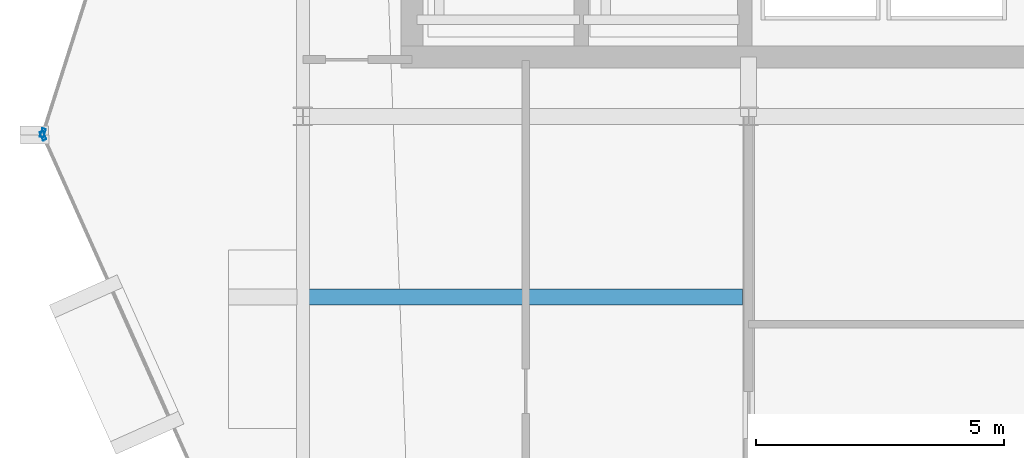
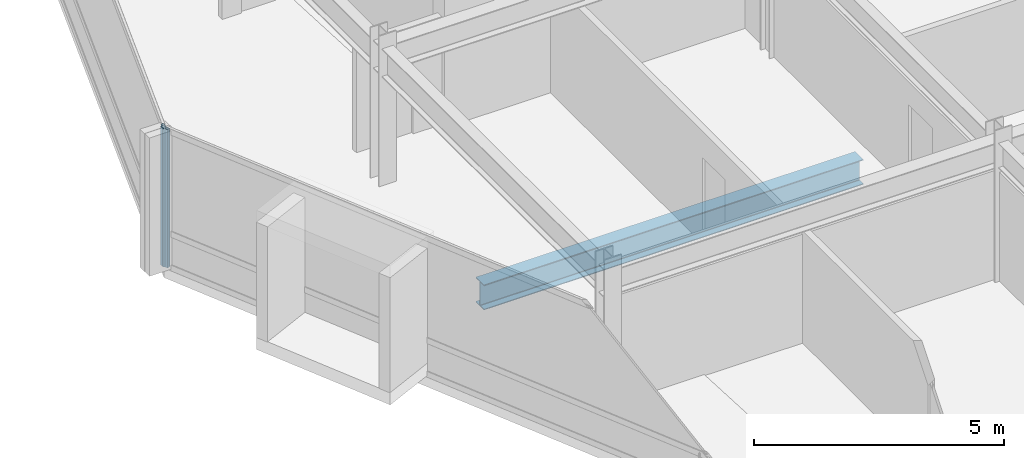
# One storey, part 6 of 19: 2 members, 1 beam, 2 elements without a shape of their own.
"""IFC4 building model written with IfcOpenShell, lengths in metres."""

from ifc_helpers import new_model, si_unit, direction, frame, origin, origin_2d, place, context, subcontext, project, spatial, hollow_rectangle, i_section, extrude, material, layer, layer_set, material_profile, profile_set, type_object, element, aggregate, save


model = new_model("IFC4")

# Units and contexts
model_context = context("Model", 3, precision=1e-05, world=origin(), true_north=direction((0.0, 1.0)))
body_context = subcontext(model_context, "Body", "Model", "MODEL_VIEW")
ifc_project = project(units=[si_unit("LENGTHUNIT", "METRE"), si_unit("AREAUNIT", "SQUARE_METRE"), si_unit("VOLUMEUNIT", "CUBIC_METRE"), si_unit("PLANEANGLEUNIT", "RADIAN"), si_unit("MASSUNIT", "GRAM", prefix="KILO")], contexts=[model_context])

# Site, building, storey
site_placement = place(None, origin())
site = spatial("IfcSite", under=ifc_project, at=site_placement, CompositionType="ELEMENT")
building_placement = place(site_placement, origin())
building = spatial("IfcBuilding", under=site, at=building_placement, Name="Solvaryn Broadcast Tower", CompositionType="ELEMENT")
storey_placement = place(building_placement, frame((0.0, 0.0, 281.5)))
storey = spatial("IfcBuildingStorey", under=building, at=storey_placement, Name="L71", CompositionType="ELEMENT", Elevation=281.5)

# Beam
ifc_material_1 = material(Name="Steel ASTM A992 Grade 50", Category="steel")
ifc_material_profile_1 = material_profile(ifc_material_1, i_section(OverallWidth=0.323974609375, OverallDepth=0.611083984375, WebThickness=0.0126953125, FlangeThickness=0.01904296875, FilletRadius=0.014892578125, at=origin_2d()))
ifc_profile_set_1 = profile_set([ifc_material_profile_1], Name="Steel ASTM A992 Grade 50")
beam_type = type_object("IfcBeamType", Name="BM-B1-W24X104", PredefinedType="BEAM", material=ifc_profile_set_1)
beam_placement = place(storey_placement, frame((17.875, 23.35009765625, -0.58544921875), z_axis=(-1.0, 0.0, 0.0), x_axis=(0.0, -1.0, 0.0)))
element("IfcBeam", 1, at=beam_placement, inside=storey, type_object=beam_type, Name="L71 Bay-Box Back-Span Beam 1", PredefinedType="BEAM", context=body_context, shape_type="SweptSolid", body=[
    extrude(i_section(OverallWidth=0.323974609375, OverallDepth=0.611083984375, WebThickness=0.0126953125, FlangeThickness=0.01904296875, FilletRadius=0.014892578125, at=origin_2d()), origin(), (0.0, 0.0, 1.0), 8.75),
])

# Curtain wall, member
ifc_material_2 = material(Name="Aluminium and Terracotta Unitised Curtain Wall", Category="masonry")
ifc_layer = layer(ifc_material_2, 0.199951171875)
ifc_layer_set = layer_set([ifc_layer], Name="CW-SYS2-LOWMID")
curtain_wall_type = type_object("IfcCurtainWallType", Name="CW-SYS2-LOWMID", PredefinedType="NOTDEFINED", material=ifc_layer_set)
curtain_wall_1_placement = place(storey_placement, origin())
curtain_wall_1 = element("IfcCurtainWall", 2, at=curtain_wall_1_placement, inside=storey, type_object=curtain_wall_type, Name="L71 Curtain Wall DR1", PredefinedType="NOTDEFINED")
ifc_material_3 = material(Name="Anodised Aluminium 6063-T6", Category="aluminium")
ifc_material_profile_2 = material_profile(ifc_material_3, hollow_rectangle(XDim=0.074951171875, YDim=0.179931640625, WallThickness=0.00390625, InnerFilletRadius=0.00390625, OuterFilletRadius=0.008056640625, at=origin_2d()))
ifc_profile_set_2 = profile_set([ifc_material_profile_2], Name="Anodised Aluminium 6063-T6")
member_type = type_object("IfcMemberType", Name="CW-MUL-180", PredefinedType="MULLION", material=ifc_profile_set_2)
member_1_placement = place(storey_placement, frame((3.7470703125, 26.66455078125, 0.0), z_axis=(0.0, 0.0, 1.0), x_axis=(0.952794594701, -0.30361564569, 0.0)))
member_1 = element("IfcMember", 3, at=member_1_placement, type_object=member_type, Name="CWS2 mullion 2", PredefinedType="MULLION", context=body_context, shape_type="SweptSolid", body=[
    extrude(hollow_rectangle(XDim=0.074951171875, YDim=0.179931640625, WallThickness=0.00390625, InnerFilletRadius=0.00390625, OuterFilletRadius=0.008056640625, at=origin_2d()), origin(), (0.0, 0.0, 1.0), 3.3701171875),
])
aggregate(curtain_wall_1, [member_1])

curtain_wall_2_placement = place(storey_placement, origin())
curtain_wall_2 = element("IfcCurtainWall", 4, at=curtain_wall_2_placement, inside=storey, type_object=curtain_wall_type, Name="L71 Curtain Wall DR2", PredefinedType="NOTDEFINED")
member_2_placement = place(storey_placement, frame((3.750244140625, 26.608642578125, 0.0), z_axis=(0.0, 0.0, 1.0), x_axis=(0.912773530574, 0.408466010682, 0.0)))
member_2 = element("IfcMember", 5, at=member_2_placement, type_object=member_type, Name="CWS2 mullion 1", PredefinedType="MULLION", context=body_context, shape_type="SweptSolid", body=[
    extrude(hollow_rectangle(XDim=0.074951171875, YDim=0.179931640625, WallThickness=0.00390625, InnerFilletRadius=0.00390625, OuterFilletRadius=0.008056640625, at=origin_2d()), origin(), (0.0, 0.0, 1.0), 3.3701171875),
])
aggregate(curtain_wall_2, [member_2])

save(model, "model.ifc")
